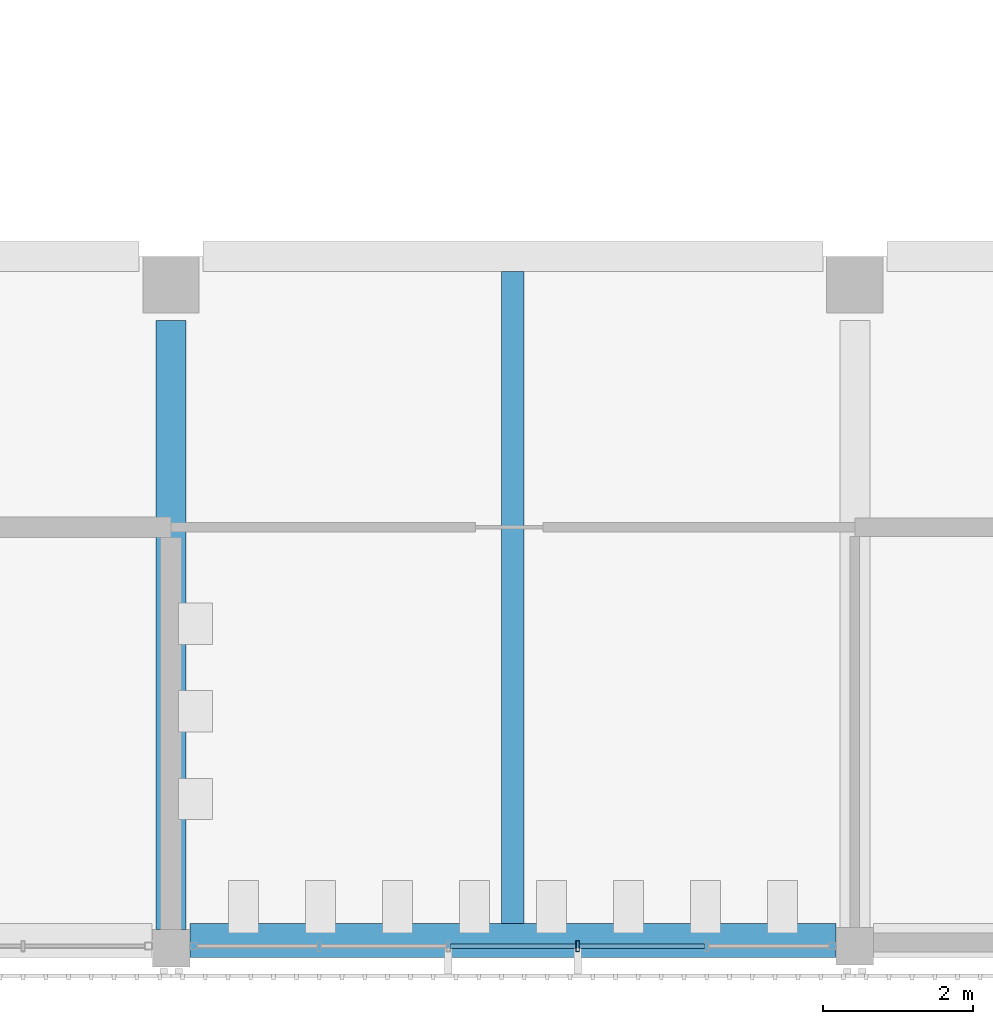
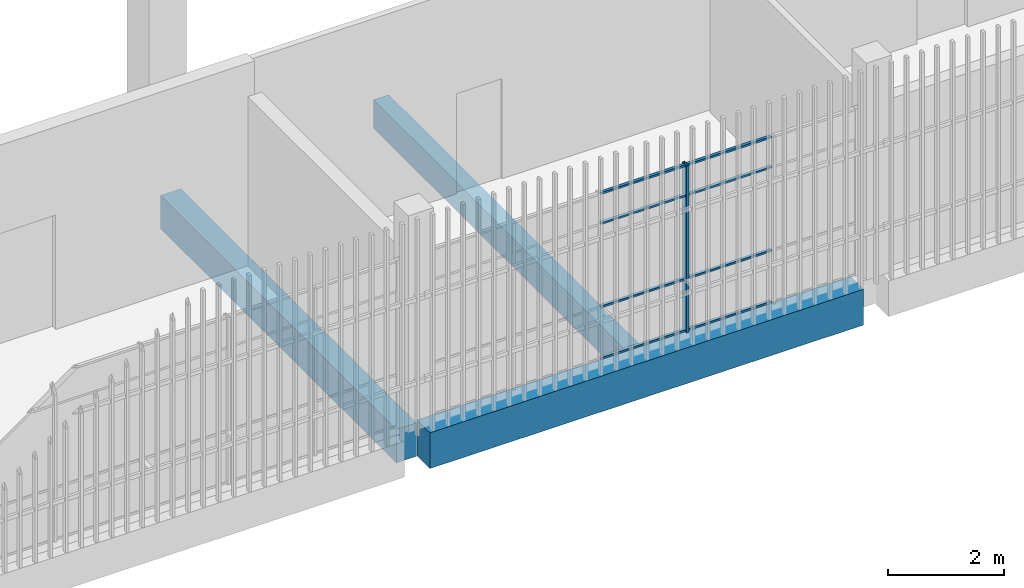
# One storey, part 22 of 124: 9 members, 3 beams, 1 element without a shape of its own.
"""IFC4 building model written with IfcOpenShell, lengths in metres."""

from ifc_helpers import new_model, si_unit, direction, frame, origin, origin_2d, place, context, subcontext, project, spatial, rectangle, hollow_rectangle, extrude, material, layer, layer_set, material_profile, profile_set, type_object, element, aggregate, save


model = new_model("IFC4")

# Units and contexts
model_context = context("Model", 3, precision=1e-05, world=origin(), true_north=direction((0.0, 1.0)))
body_context = subcontext(model_context, "Body", "Model", "MODEL_VIEW")
ifc_project = project(units=[si_unit("LENGTHUNIT", "METRE"), si_unit("AREAUNIT", "SQUARE_METRE"), si_unit("VOLUMEUNIT", "CUBIC_METRE"), si_unit("PLANEANGLEUNIT", "RADIAN"), si_unit("MASSUNIT", "GRAM", prefix="KILO")], contexts=[model_context])

# Site, building, storey
site_placement = place(None, origin())
site = spatial("IfcSite", under=ifc_project, at=site_placement, CompositionType="ELEMENT")
building_placement = place(site_placement, origin())
building = spatial("IfcBuilding", under=site, at=building_placement, Name="Shirokan Park Arena", CompositionType="ELEMENT")
storey_placement = place(building_placement, frame((0.0, 0.0, 20.02001953125)))
storey = spatial("IfcBuildingStorey", under=building, at=storey_placement, Name="L04", CompositionType="ELEMENT", Elevation=20.02001953125)

# Curtain wall, member
ifc_material_1 = material(Name="Steel and glass curtain wall", Category="steel")
ifc_layer = layer(ifc_material_1, 0.14990234375)
ifc_layer_set = layer_set([ifc_layer], Name="Steel and glass curtain wall 150 mm")
curtain_wall_type = type_object("IfcCurtainWallType", Name="Curtain wall exposed bay 150", PredefinedType="NOTDEFINED", material=ifc_layer_set)
curtain_wall_placement = place(storey_placement, origin())
curtain_wall = element("IfcCurtainWall", 1, at=curtain_wall_placement, inside=storey, type_object=curtain_wall_type, Name="Curtain wall south bay 9 L04", PredefinedType="NOTDEFINED")
ifc_material_2 = material(Name="Steel S355", Category="steel")
ifc_material_profile_1 = material_profile(ifc_material_2, hollow_rectangle(XDim=0.14990234375, YDim=0.050048828125, WallThickness=0.006103515625, at=origin_2d()), Name="RHS 150x50x6")
ifc_profile_set_1 = profile_set([ifc_material_profile_1], Name="Steel S355")
member_type_1 = type_object("IfcMemberType", Name="Mullion RHS 150x50x6", PredefinedType="MULLION", material=ifc_profile_set_1)
member_1_placement = place(storey_placement, frame((78.2099609375, -0.074951171875, 0.0), z_axis=(0.0, 0.0, 1.0), x_axis=(0.0, 1.0, 0.0)))
member_1 = element("IfcMember", 2, at=member_1_placement, type_object=member_type_1, Name="CW1 mullion 4", PredefinedType="MULLION", context=body_context, shape_type="SweptSolid", body=[
    extrude(hollow_rectangle(XDim=0.14990234375, YDim=0.050048828125, WallThickness=0.006103515625, at=origin_2d()), origin(), (0.0, 0.0, 1.0), 3.5),
])

# Beams
ifc_material_3 = material(Name="Concrete C35", Category="concrete")
ifc_material_profile_2 = material_profile(ifc_material_3, rectangle(XDim=0.39990234375, YDim=0.699951171875, at=origin_2d()), Name="400x700")
ifc_profile_set_2 = profile_set([ifc_material_profile_2], Name="Concrete C35")
beam_type_1 = type_object("IfcBeamType", Name="RC girder 400x700", PredefinedType="BEAM", material=ifc_profile_set_2)
beam_1_placement = place(storey_placement, frame((72.800048828125, 0.150146484375, -0.60009765625), z_axis=(0.0, 1.0, 0.0), x_axis=(-1.0, 0.0, 0.0)))
element("IfcBeam", 3, at=beam_1_placement, inside=storey, type_object=beam_type_1, Name="Girder 9A-9B L04", PredefinedType="BEAM", context=body_context, shape_type="SweptSolid", body=[
    extrude(rectangle(XDim=0.39990234375, YDim=0.699951171875, at=origin_2d()), origin(), (0.0, 0.0, 1.0), 8.099853515625),
])
ifc_material_profile_3 = material_profile(ifc_material_3, rectangle(XDim=0.449951171875, YDim=0.75, at=origin_2d()), Name="450x750")
ifc_profile_set_3 = profile_set([ifc_material_profile_3], Name="Concrete C35")
beam_type_2 = type_object("IfcBeamType", Name="RC girder 450x750", PredefinedType="BEAM", material=ifc_profile_set_3)
beam_2_placement = place(storey_placement, frame((73.050048828125, 0.0, -0.625), z_axis=(1.0, 0.0, 0.0), x_axis=(0.0, 1.0, 0.0)))
element("IfcBeam", 4, at=beam_2_placement, inside=storey, type_object=beam_type_2, Name="Girder 9A-10A L04", PredefinedType="BEAM", context=body_context, shape_type="SweptSolid", body=[
    extrude(rectangle(XDim=0.449951171875, YDim=0.75, at=origin_2d()), origin(), (0.0, 0.0, 1.0), 8.599853515625),
])
ifc_material_profile_4 = material_profile(ifc_material_3, rectangle(XDim=0.300048828125, YDim=0.60009765625, at=origin_2d()), Name="300x600")
ifc_profile_set_4 = profile_set([ifc_material_profile_4], Name="Concrete C35")
beam_type_3 = type_object("IfcBeamType", Name="RC joist 300x600", PredefinedType="JOIST", material=ifc_profile_set_4)
beam_3_placement = place(storey_placement, frame((77.35009765625, 0.22509765625, -0.550048828125), z_axis=(0.0, 1.0, 0.0), x_axis=(-1.0, 0.0, 0.0)))
element("IfcBeam", 5, at=beam_3_placement, inside=storey, type_object=beam_type_3, Name="Joist 9A L04", PredefinedType="JOIST", context=body_context, shape_type="SweptSolid", body=[
    extrude(rectangle(XDim=0.300048828125, YDim=0.60009765625, at=origin_2d()), origin(), (0.0, 0.0, 1.0), 8.6748046875),
])

# Member
ifc_material_profile_5 = material_profile(ifc_material_2, hollow_rectangle(XDim=0.06005859375, YDim=0.0400390625, WallThickness=0.00390625, at=origin_2d()), Name="RHS 60x40x4")
ifc_profile_set_5 = profile_set([ifc_material_profile_5], Name="Steel S355")
member_type_2 = type_object("IfcMemberType", Name="Transom RHS 60x40x4", PredefinedType="MULLION", material=ifc_profile_set_5)
member_2_placement = place(storey_placement, frame((76.514892578125, -0.074951171875, 0.02001953125), z_axis=(1.0, 0.0, 0.0), x_axis=(0.0, 1.0, 0.0)))
member_2 = element("IfcMember", 6, at=member_2_placement, type_object=member_type_2, Name="CW1 transom 3.1", PredefinedType="MULLION", context=body_context, shape_type="SweptSolid", body=[
    extrude(hollow_rectangle(XDim=0.06005859375, YDim=0.0400390625, WallThickness=0.00390625, at=origin_2d()), origin(), (0.0, 0.0, 1.0), 1.670166015625),
])

member_3_placement = place(storey_placement, frame((76.514892578125, -0.074951171875, 1.10009765625), z_axis=(1.0, 0.0, 0.0), x_axis=(0.0, 1.0, 0.0)))
member_3 = element("IfcMember", 7, at=member_3_placement, type_object=member_type_2, Name="CW1 transom 3.2", PredefinedType="MULLION", context=body_context, shape_type="SweptSolid", body=[
    extrude(hollow_rectangle(XDim=0.06005859375, YDim=0.0400390625, WallThickness=0.00390625, at=origin_2d()), origin(), (0.0, 0.0, 1.0), 1.670166015625),
])

member_4_placement = place(storey_placement, frame((76.514892578125, -0.074951171875, 2.85009765625), z_axis=(1.0, 0.0, 0.0), x_axis=(0.0, 1.0, 0.0)))
member_4 = element("IfcMember", 8, at=member_4_placement, type_object=member_type_2, Name="CW1 transom 3.3", PredefinedType="MULLION", context=body_context, shape_type="SweptSolid", body=[
    extrude(hollow_rectangle(XDim=0.06005859375, YDim=0.0400390625, WallThickness=0.00390625, at=origin_2d()), origin(), (0.0, 0.0, 1.0), 1.670166015625),
])

member_5_placement = place(storey_placement, frame((76.514892578125, -0.074951171875, 3.47998046875), z_axis=(1.0, 0.0, 0.0), x_axis=(0.0, 1.0, 0.0)))
member_5 = element("IfcMember", 9, at=member_5_placement, type_object=member_type_2, Name="CW1 transom 3.4", PredefinedType="MULLION", context=body_context, shape_type="SweptSolid", body=[
    extrude(hollow_rectangle(XDim=0.06005859375, YDim=0.0400390625, WallThickness=0.00390625, at=origin_2d()), origin(), (0.0, 0.0, 1.0), 1.670166015625),
])

member_6_placement = place(storey_placement, frame((78.235107421875, -0.074951171875, 0.02001953125), z_axis=(1.0, 0.0, 0.0), x_axis=(0.0, 1.0, 0.0)))
member_6 = element("IfcMember", 10, at=member_6_placement, type_object=member_type_2, Name="CW1 transom 4.1", PredefinedType="MULLION", context=body_context, shape_type="SweptSolid", body=[
    extrude(hollow_rectangle(XDim=0.06005859375, YDim=0.0400390625, WallThickness=0.00390625, at=origin_2d()), origin(), (0.0, 0.0, 1.0), 1.669921875),
])

member_7_placement = place(storey_placement, frame((78.235107421875, -0.074951171875, 1.10009765625), z_axis=(1.0, 0.0, 0.0), x_axis=(0.0, 1.0, 0.0)))
member_7 = element("IfcMember", 11, at=member_7_placement, type_object=member_type_2, Name="CW1 transom 4.2", PredefinedType="MULLION", context=body_context, shape_type="SweptSolid", body=[
    extrude(hollow_rectangle(XDim=0.06005859375, YDim=0.0400390625, WallThickness=0.00390625, at=origin_2d()), origin(), (0.0, 0.0, 1.0), 1.669921875),
])

member_8_placement = place(storey_placement, frame((78.235107421875, -0.074951171875, 2.85009765625), z_axis=(1.0, 0.0, 0.0), x_axis=(0.0, 1.0, 0.0)))
member_8 = element("IfcMember", 12, at=member_8_placement, type_object=member_type_2, Name="CW1 transom 4.3", PredefinedType="MULLION", context=body_context, shape_type="SweptSolid", body=[
    extrude(hollow_rectangle(XDim=0.06005859375, YDim=0.0400390625, WallThickness=0.00390625, at=origin_2d()), origin(), (0.0, 0.0, 1.0), 1.669921875),
])

member_9_placement = place(storey_placement, frame((78.235107421875, -0.074951171875, 3.47998046875), z_axis=(1.0, 0.0, 0.0), x_axis=(0.0, 1.0, 0.0)))
member_9 = element("IfcMember", 13, at=member_9_placement, type_object=member_type_2, Name="CW1 transom 4.4", PredefinedType="MULLION", context=body_context, shape_type="SweptSolid", body=[
    extrude(hollow_rectangle(XDim=0.06005859375, YDim=0.0400390625, WallThickness=0.00390625, at=origin_2d()), origin(), (0.0, 0.0, 1.0), 1.669921875),
])

aggregate(curtain_wall, [member_1, member_2, member_3, member_4, member_5, member_6, member_7, member_8, member_9])

save(model, "model.ifc")
